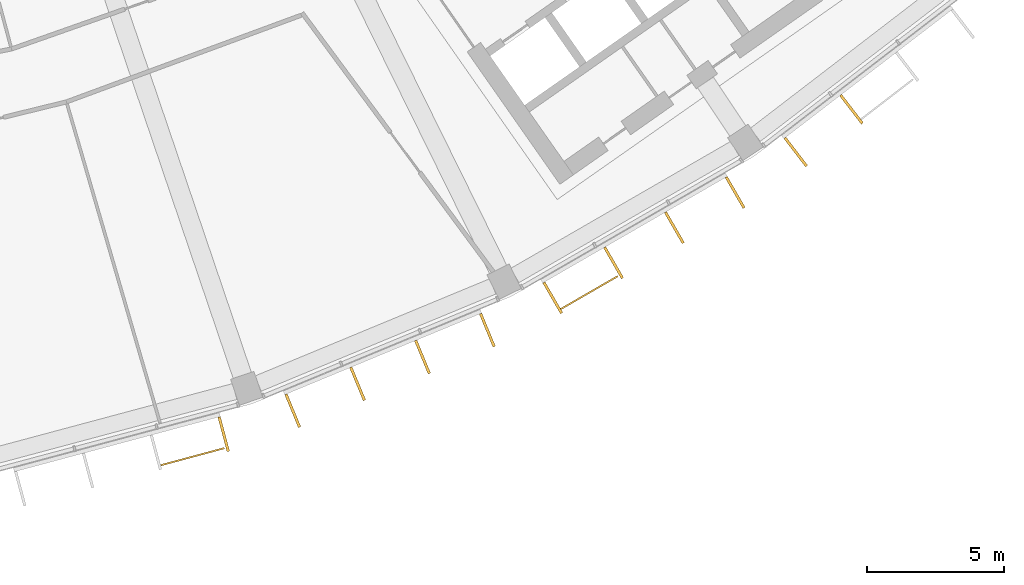
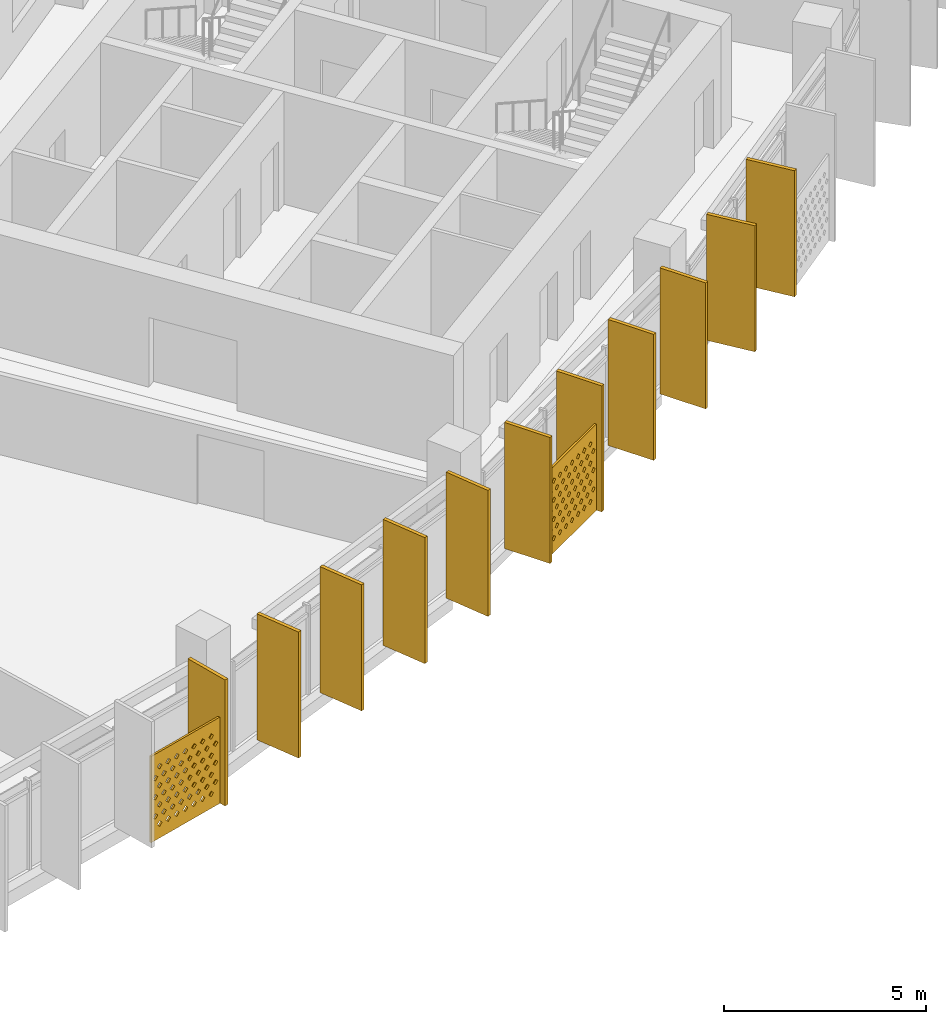
# One storey, part 25 of 27: 13 shading devices.
"""IFC4 building model written with IfcOpenShell, lengths in metres."""

from ifc_helpers import new_model, si_unit, direction, frame, origin, origin_2d, place, context, subcontext, project, spatial, polyline, rectangle, outline, extrude, material, material_profile, profile_set, type_object, element, save


model = new_model("IFC4")

# Units and contexts
model_context = context("Model", 3, precision=1e-05, world=origin(), true_north=direction((0.0, 1.0)))
body_context = subcontext(model_context, "Body", "Model", "MODEL_VIEW")
ifc_project = project(units=[si_unit("LENGTHUNIT", "METRE"), si_unit("AREAUNIT", "SQUARE_METRE"), si_unit("VOLUMEUNIT", "CUBIC_METRE"), si_unit("PLANEANGLEUNIT", "RADIAN"), si_unit("MASSUNIT", "GRAM", prefix="KILO")], contexts=[model_context])

# Site, building, storey
site_placement = place(None, origin())
site = spatial("IfcSite", under=ifc_project, at=site_placement, CompositionType="ELEMENT")
building_placement = place(site_placement, origin())
building = spatial("IfcBuilding", under=site, at=building_placement, Name="Qamariyya Broadcast Tower", CompositionType="ELEMENT")
storey_placement = place(building_placement, frame((0.0, 0.0, 280.89990234375)))
storey = spatial("IfcBuildingStorey", under=building, at=storey_placement, Name="L68", CompositionType="ELEMENT", Elevation=280.89990234375)

# Shading devices
ifc_material_1 = material(Name="Perforated glazed terracotta", Category="masonry")
ifc_material_profile_1 = material_profile(ifc_material_1, outline(polyline([(-1.199951171875, -1.300048828125), (1.199951171875, -1.300048828125), (1.199951171875, 1.300048828125), (-1.199951171875, 1.300048828125), (-1.199951171875, -1.300048828125)]), holes=[polyline([(-0.81494140625, -0.86669921875), (-0.89990234375, -0.78173828125), (-0.985107421875, -0.86669921875), (-0.89990234375, -0.95166015625), (-0.81494140625, -0.86669921875)]), polyline([(-0.514892578125, -0.86669921875), (-0.60009765625, -0.78173828125), (-0.68505859375, -0.86669921875), (-0.60009765625, -0.95166015625), (-0.514892578125, -0.86669921875)]), polyline([(-0.215087890625, -0.86669921875), (-0.300048828125, -0.78173828125), (-0.385009765625, -0.86669921875), (-0.300048828125, -0.95166015625), (-0.215087890625, -0.86669921875)]), polyline([(0.0849609375, -0.86669921875), (0.0, -0.78173828125), (-0.0849609375, -0.86669921875), (0.0, -0.95166015625), (0.0849609375, -0.86669921875)]), polyline([(0.385009765625, -0.86669921875), (0.300048828125, -0.78173828125), (0.215087890625, -0.86669921875), (0.300048828125, -0.95166015625), (0.385009765625, -0.86669921875)]), polyline([(0.68505859375, -0.86669921875), (0.60009765625, -0.78173828125), (0.514892578125, -0.86669921875), (0.60009765625, -0.95166015625), (0.68505859375, -0.86669921875)]), polyline([(0.985107421875, -0.86669921875), (0.89990234375, -0.78173828125), (0.81494140625, -0.86669921875), (0.89990234375, -0.95166015625), (0.985107421875, -0.86669921875)]), polyline([(-0.965087890625, -0.577880859375), (-1.050048828125, -0.49267578125), (-1.135009765625, -0.577880859375), (-1.050048828125, -0.662841796875), (-0.965087890625, -0.577880859375)]), polyline([(-0.6650390625, -0.577880859375), (-0.75, -0.49267578125), (-0.8349609375, -0.577880859375), (-0.75, -0.662841796875), (-0.6650390625, -0.577880859375)]), polyline([(-0.364990234375, -0.577880859375), (-0.449951171875, -0.49267578125), (-0.534912109375, -0.577880859375), (-0.449951171875, -0.662841796875), (-0.364990234375, -0.577880859375)]), polyline([(-0.06494140625, -0.577880859375), (-0.14990234375, -0.49267578125), (-0.235107421875, -0.577880859375), (-0.14990234375, -0.662841796875), (-0.06494140625, -0.577880859375)]), polyline([(0.235107421875, -0.577880859375), (0.14990234375, -0.49267578125), (0.06494140625, -0.577880859375), (0.14990234375, -0.662841796875), (0.235107421875, -0.577880859375)]), polyline([(0.534912109375, -0.577880859375), (0.449951171875, -0.49267578125), (0.364990234375, -0.577880859375), (0.449951171875, -0.662841796875), (0.534912109375, -0.577880859375)]), polyline([(0.8349609375, -0.577880859375), (0.75, -0.49267578125), (0.6650390625, -0.577880859375), (0.75, -0.662841796875), (0.8349609375, -0.577880859375)]), polyline([(1.135009765625, -0.577880859375), (1.050048828125, -0.49267578125), (0.965087890625, -0.577880859375), (1.050048828125, -0.662841796875), (1.135009765625, -0.577880859375)]), polyline([(-0.81494140625, -0.288818359375), (-0.89990234375, -0.203857421875), (-0.985107421875, -0.288818359375), (-0.89990234375, -0.373779296875), (-0.81494140625, -0.288818359375)]), polyline([(-0.514892578125, -0.288818359375), (-0.60009765625, -0.203857421875), (-0.68505859375, -0.288818359375), (-0.60009765625, -0.373779296875), (-0.514892578125, -0.288818359375)]), polyline([(-0.215087890625, -0.288818359375), (-0.300048828125, -0.203857421875), (-0.385009765625, -0.288818359375), (-0.300048828125, -0.373779296875), (-0.215087890625, -0.288818359375)]), polyline([(0.0849609375, -0.288818359375), (0.0, -0.203857421875), (-0.0849609375, -0.288818359375), (0.0, -0.373779296875), (0.0849609375, -0.288818359375)]), polyline([(0.385009765625, -0.288818359375), (0.300048828125, -0.203857421875), (0.215087890625, -0.288818359375), (0.300048828125, -0.373779296875), (0.385009765625, -0.288818359375)]), polyline([(0.68505859375, -0.288818359375), (0.60009765625, -0.203857421875), (0.514892578125, -0.288818359375), (0.60009765625, -0.373779296875), (0.68505859375, -0.288818359375)]), polyline([(0.985107421875, -0.288818359375), (0.89990234375, -0.203857421875), (0.81494140625, -0.288818359375), (0.89990234375, -0.373779296875), (0.985107421875, -0.288818359375)]), polyline([(-0.965087890625, 0.0), (-1.050048828125, 0.0849609375), (-1.135009765625, 0.0), (-1.050048828125, -0.0849609375), (-0.965087890625, 0.0)]), polyline([(-0.6650390625, 0.0), (-0.75, 0.0849609375), (-0.8349609375, 0.0), (-0.75, -0.0849609375), (-0.6650390625, 0.0)]), polyline([(-0.364990234375, 0.0), (-0.449951171875, 0.0849609375), (-0.534912109375, 0.0), (-0.449951171875, -0.0849609375), (-0.364990234375, 0.0)]), polyline([(-0.06494140625, 0.0), (-0.14990234375, 0.0849609375), (-0.235107421875, 0.0), (-0.14990234375, -0.0849609375), (-0.06494140625, 0.0)]), polyline([(0.235107421875, 0.0), (0.14990234375, 0.0849609375), (0.06494140625, 0.0), (0.14990234375, -0.0849609375), (0.235107421875, 0.0)]), polyline([(0.534912109375, 0.0), (0.449951171875, 0.0849609375), (0.364990234375, 0.0), (0.449951171875, -0.0849609375), (0.534912109375, 0.0)]), polyline([(0.8349609375, 0.0), (0.75, 0.0849609375), (0.6650390625, 0.0), (0.75, -0.0849609375), (0.8349609375, 0.0)]), polyline([(1.135009765625, 0.0), (1.050048828125, 0.0849609375), (0.965087890625, 0.0), (1.050048828125, -0.0849609375), (1.135009765625, 0.0)]), polyline([(-0.81494140625, 0.288818359375), (-0.89990234375, 0.373779296875), (-0.985107421875, 0.288818359375), (-0.89990234375, 0.203857421875), (-0.81494140625, 0.288818359375)]), polyline([(-0.514892578125, 0.288818359375), (-0.60009765625, 0.373779296875), (-0.68505859375, 0.288818359375), (-0.60009765625, 0.203857421875), (-0.514892578125, 0.288818359375)]), polyline([(-0.215087890625, 0.288818359375), (-0.300048828125, 0.373779296875), (-0.385009765625, 0.288818359375), (-0.300048828125, 0.203857421875), (-0.215087890625, 0.288818359375)]), polyline([(0.0849609375, 0.288818359375), (0.0, 0.373779296875), (-0.0849609375, 0.288818359375), (0.0, 0.203857421875), (0.0849609375, 0.288818359375)]), polyline([(0.385009765625, 0.288818359375), (0.300048828125, 0.373779296875), (0.215087890625, 0.288818359375), (0.300048828125, 0.203857421875), (0.385009765625, 0.288818359375)]), polyline([(0.68505859375, 0.288818359375), (0.60009765625, 0.373779296875), (0.514892578125, 0.288818359375), (0.60009765625, 0.203857421875), (0.68505859375, 0.288818359375)]), polyline([(0.985107421875, 0.288818359375), (0.89990234375, 0.373779296875), (0.81494140625, 0.288818359375), (0.89990234375, 0.203857421875), (0.985107421875, 0.288818359375)]), polyline([(-0.965087890625, 0.577880859375), (-1.050048828125, 0.662841796875), (-1.135009765625, 0.577880859375), (-1.050048828125, 0.49267578125), (-0.965087890625, 0.577880859375)]), polyline([(-0.6650390625, 0.577880859375), (-0.75, 0.662841796875), (-0.8349609375, 0.577880859375), (-0.75, 0.49267578125), (-0.6650390625, 0.577880859375)]), polyline([(-0.364990234375, 0.577880859375), (-0.449951171875, 0.662841796875), (-0.534912109375, 0.577880859375), (-0.449951171875, 0.49267578125), (-0.364990234375, 0.577880859375)]), polyline([(-0.06494140625, 0.577880859375), (-0.14990234375, 0.662841796875), (-0.235107421875, 0.577880859375), (-0.14990234375, 0.49267578125), (-0.06494140625, 0.577880859375)]), polyline([(0.235107421875, 0.577880859375), (0.14990234375, 0.662841796875), (0.06494140625, 0.577880859375), (0.14990234375, 0.49267578125), (0.235107421875, 0.577880859375)]), polyline([(0.534912109375, 0.577880859375), (0.449951171875, 0.662841796875), (0.364990234375, 0.577880859375), (0.449951171875, 0.49267578125), (0.534912109375, 0.577880859375)]), polyline([(0.8349609375, 0.577880859375), (0.75, 0.662841796875), (0.6650390625, 0.577880859375), (0.75, 0.49267578125), (0.8349609375, 0.577880859375)]), polyline([(1.135009765625, 0.577880859375), (1.050048828125, 0.662841796875), (0.965087890625, 0.577880859375), (1.050048828125, 0.49267578125), (1.135009765625, 0.577880859375)]), polyline([(-0.81494140625, 0.86669921875), (-0.89990234375, 0.95166015625), (-0.985107421875, 0.86669921875), (-0.89990234375, 0.78173828125), (-0.81494140625, 0.86669921875)]), polyline([(-0.514892578125, 0.86669921875), (-0.60009765625, 0.95166015625), (-0.68505859375, 0.86669921875), (-0.60009765625, 0.78173828125), (-0.514892578125, 0.86669921875)]), polyline([(-0.215087890625, 0.86669921875), (-0.300048828125, 0.95166015625), (-0.385009765625, 0.86669921875), (-0.300048828125, 0.78173828125), (-0.215087890625, 0.86669921875)]), polyline([(0.0849609375, 0.86669921875), (0.0, 0.95166015625), (-0.0849609375, 0.86669921875), (0.0, 0.78173828125), (0.0849609375, 0.86669921875)]), polyline([(0.385009765625, 0.86669921875), (0.300048828125, 0.95166015625), (0.215087890625, 0.86669921875), (0.300048828125, 0.78173828125), (0.385009765625, 0.86669921875)]), polyline([(0.68505859375, 0.86669921875), (0.60009765625, 0.95166015625), (0.514892578125, 0.86669921875), (0.60009765625, 0.78173828125), (0.68505859375, 0.86669921875)]), polyline([(0.985107421875, 0.86669921875), (0.89990234375, 0.95166015625), (0.81494140625, 0.86669921875), (0.89990234375, 0.78173828125), (0.985107421875, 0.86669921875)])]))
ifc_profile_set_1 = profile_set([ifc_material_profile_1], Name="Perforated glazed terracotta")
shading_device_type_1 = type_object("IfcShadingDeviceType", Name="Perforated terracotta screen 2400 x 2600", PredefinedType="USERDEFINED", material=ifc_profile_set_1)
shading_device_1_placement = place(storey_placement, frame((23.008544921875, -76.08984375, 1.35009765625), z_axis=(0.259682438219, -0.965694067125, 0.0), x_axis=(0.965694067125, 0.259682438219, 0.0)))
element("IfcShadingDevice", 1, at=shading_device_1_placement, inside=storey, type_object=shading_device_type_1, Name="e-scr-L68-09-2", ObjectType="SCREEN", PredefinedType="USERDEFINED", context=body_context, shape_type="SweptSolid", body=[
    extrude(outline(polyline([(-1.199951171875, -1.300048828125), (1.199951171875, -1.300048828125), (1.199951171875, 1.300048828125), (-1.199951171875, 1.300048828125), (-1.199951171875, -1.300048828125)]), holes=[polyline([(-0.81494140625, -0.86669921875), (-0.89990234375, -0.78173828125), (-0.985107421875, -0.86669921875), (-0.89990234375, -0.95166015625), (-0.81494140625, -0.86669921875)]), polyline([(-0.514892578125, -0.86669921875), (-0.60009765625, -0.78173828125), (-0.68505859375, -0.86669921875), (-0.60009765625, -0.95166015625), (-0.514892578125, -0.86669921875)]), polyline([(-0.215087890625, -0.86669921875), (-0.300048828125, -0.78173828125), (-0.385009765625, -0.86669921875), (-0.300048828125, -0.95166015625), (-0.215087890625, -0.86669921875)]), polyline([(0.0849609375, -0.86669921875), (0.0, -0.78173828125), (-0.0849609375, -0.86669921875), (0.0, -0.95166015625), (0.0849609375, -0.86669921875)]), polyline([(0.385009765625, -0.86669921875), (0.300048828125, -0.78173828125), (0.215087890625, -0.86669921875), (0.300048828125, -0.95166015625), (0.385009765625, -0.86669921875)]), polyline([(0.68505859375, -0.86669921875), (0.60009765625, -0.78173828125), (0.514892578125, -0.86669921875), (0.60009765625, -0.95166015625), (0.68505859375, -0.86669921875)]), polyline([(0.985107421875, -0.86669921875), (0.89990234375, -0.78173828125), (0.81494140625, -0.86669921875), (0.89990234375, -0.95166015625), (0.985107421875, -0.86669921875)]), polyline([(-0.965087890625, -0.577880859375), (-1.050048828125, -0.49267578125), (-1.135009765625, -0.577880859375), (-1.050048828125, -0.662841796875), (-0.965087890625, -0.577880859375)]), polyline([(-0.6650390625, -0.577880859375), (-0.75, -0.49267578125), (-0.8349609375, -0.577880859375), (-0.75, -0.662841796875), (-0.6650390625, -0.577880859375)]), polyline([(-0.364990234375, -0.577880859375), (-0.449951171875, -0.49267578125), (-0.534912109375, -0.577880859375), (-0.449951171875, -0.662841796875), (-0.364990234375, -0.577880859375)]), polyline([(-0.06494140625, -0.577880859375), (-0.14990234375, -0.49267578125), (-0.235107421875, -0.577880859375), (-0.14990234375, -0.662841796875), (-0.06494140625, -0.577880859375)]), polyline([(0.235107421875, -0.577880859375), (0.14990234375, -0.49267578125), (0.06494140625, -0.577880859375), (0.14990234375, -0.662841796875), (0.235107421875, -0.577880859375)]), polyline([(0.534912109375, -0.577880859375), (0.449951171875, -0.49267578125), (0.364990234375, -0.577880859375), (0.449951171875, -0.662841796875), (0.534912109375, -0.577880859375)]), polyline([(0.8349609375, -0.577880859375), (0.75, -0.49267578125), (0.6650390625, -0.577880859375), (0.75, -0.662841796875), (0.8349609375, -0.577880859375)]), polyline([(1.135009765625, -0.577880859375), (1.050048828125, -0.49267578125), (0.965087890625, -0.577880859375), (1.050048828125, -0.662841796875), (1.135009765625, -0.577880859375)]), polyline([(-0.81494140625, -0.288818359375), (-0.89990234375, -0.203857421875), (-0.985107421875, -0.288818359375), (-0.89990234375, -0.373779296875), (-0.81494140625, -0.288818359375)]), polyline([(-0.514892578125, -0.288818359375), (-0.60009765625, -0.203857421875), (-0.68505859375, -0.288818359375), (-0.60009765625, -0.373779296875), (-0.514892578125, -0.288818359375)]), polyline([(-0.215087890625, -0.288818359375), (-0.300048828125, -0.203857421875), (-0.385009765625, -0.288818359375), (-0.300048828125, -0.373779296875), (-0.215087890625, -0.288818359375)]), polyline([(0.0849609375, -0.288818359375), (0.0, -0.203857421875), (-0.0849609375, -0.288818359375), (0.0, -0.373779296875), (0.0849609375, -0.288818359375)]), polyline([(0.385009765625, -0.288818359375), (0.300048828125, -0.203857421875), (0.215087890625, -0.288818359375), (0.300048828125, -0.373779296875), (0.385009765625, -0.288818359375)]), polyline([(0.68505859375, -0.288818359375), (0.60009765625, -0.203857421875), (0.514892578125, -0.288818359375), (0.60009765625, -0.373779296875), (0.68505859375, -0.288818359375)]), polyline([(0.985107421875, -0.288818359375), (0.89990234375, -0.203857421875), (0.81494140625, -0.288818359375), (0.89990234375, -0.373779296875), (0.985107421875, -0.288818359375)]), polyline([(-0.965087890625, 0.0), (-1.050048828125, 0.0849609375), (-1.135009765625, 0.0), (-1.050048828125, -0.0849609375), (-0.965087890625, 0.0)]), polyline([(-0.6650390625, 0.0), (-0.75, 0.0849609375), (-0.8349609375, 0.0), (-0.75, -0.0849609375), (-0.6650390625, 0.0)]), polyline([(-0.364990234375, 0.0), (-0.449951171875, 0.0849609375), (-0.534912109375, 0.0), (-0.449951171875, -0.0849609375), (-0.364990234375, 0.0)]), polyline([(-0.06494140625, 0.0), (-0.14990234375, 0.0849609375), (-0.235107421875, 0.0), (-0.14990234375, -0.0849609375), (-0.06494140625, 0.0)]), polyline([(0.235107421875, 0.0), (0.14990234375, 0.0849609375), (0.06494140625, 0.0), (0.14990234375, -0.0849609375), (0.235107421875, 0.0)]), polyline([(0.534912109375, 0.0), (0.449951171875, 0.0849609375), (0.364990234375, 0.0), (0.449951171875, -0.0849609375), (0.534912109375, 0.0)]), polyline([(0.8349609375, 0.0), (0.75, 0.0849609375), (0.6650390625, 0.0), (0.75, -0.0849609375), (0.8349609375, 0.0)]), polyline([(1.135009765625, 0.0), (1.050048828125, 0.0849609375), (0.965087890625, 0.0), (1.050048828125, -0.0849609375), (1.135009765625, 0.0)]), polyline([(-0.81494140625, 0.288818359375), (-0.89990234375, 0.373779296875), (-0.985107421875, 0.288818359375), (-0.89990234375, 0.203857421875), (-0.81494140625, 0.288818359375)]), polyline([(-0.514892578125, 0.288818359375), (-0.60009765625, 0.373779296875), (-0.68505859375, 0.288818359375), (-0.60009765625, 0.203857421875), (-0.514892578125, 0.288818359375)]), polyline([(-0.215087890625, 0.288818359375), (-0.300048828125, 0.373779296875), (-0.385009765625, 0.288818359375), (-0.300048828125, 0.203857421875), (-0.215087890625, 0.288818359375)]), polyline([(0.0849609375, 0.288818359375), (0.0, 0.373779296875), (-0.0849609375, 0.288818359375), (0.0, 0.203857421875), (0.0849609375, 0.288818359375)]), polyline([(0.385009765625, 0.288818359375), (0.300048828125, 0.373779296875), (0.215087890625, 0.288818359375), (0.300048828125, 0.203857421875), (0.385009765625, 0.288818359375)]), polyline([(0.68505859375, 0.288818359375), (0.60009765625, 0.373779296875), (0.514892578125, 0.288818359375), (0.60009765625, 0.203857421875), (0.68505859375, 0.288818359375)]), polyline([(0.985107421875, 0.288818359375), (0.89990234375, 0.373779296875), (0.81494140625, 0.288818359375), (0.89990234375, 0.203857421875), (0.985107421875, 0.288818359375)]), polyline([(-0.965087890625, 0.577880859375), (-1.050048828125, 0.662841796875), (-1.135009765625, 0.577880859375), (-1.050048828125, 0.49267578125), (-0.965087890625, 0.577880859375)]), polyline([(-0.6650390625, 0.577880859375), (-0.75, 0.662841796875), (-0.8349609375, 0.577880859375), (-0.75, 0.49267578125), (-0.6650390625, 0.577880859375)]), polyline([(-0.364990234375, 0.577880859375), (-0.449951171875, 0.662841796875), (-0.534912109375, 0.577880859375), (-0.449951171875, 0.49267578125), (-0.364990234375, 0.577880859375)]), polyline([(-0.06494140625, 0.577880859375), (-0.14990234375, 0.662841796875), (-0.235107421875, 0.577880859375), (-0.14990234375, 0.49267578125), (-0.06494140625, 0.577880859375)]), polyline([(0.235107421875, 0.577880859375), (0.14990234375, 0.662841796875), (0.06494140625, 0.577880859375), (0.14990234375, 0.49267578125), (0.235107421875, 0.577880859375)]), polyline([(0.534912109375, 0.577880859375), (0.449951171875, 0.662841796875), (0.364990234375, 0.577880859375), (0.449951171875, 0.49267578125), (0.534912109375, 0.577880859375)]), polyline([(0.8349609375, 0.577880859375), (0.75, 0.662841796875), (0.6650390625, 0.577880859375), (0.75, 0.49267578125), (0.8349609375, 0.577880859375)]), polyline([(1.135009765625, 0.577880859375), (1.050048828125, 0.662841796875), (0.965087890625, 0.577880859375), (1.050048828125, 0.49267578125), (1.135009765625, 0.577880859375)]), polyline([(-0.81494140625, 0.86669921875), (-0.89990234375, 0.95166015625), (-0.985107421875, 0.86669921875), (-0.89990234375, 0.78173828125), (-0.81494140625, 0.86669921875)]), polyline([(-0.514892578125, 0.86669921875), (-0.60009765625, 0.95166015625), (-0.68505859375, 0.86669921875), (-0.60009765625, 0.78173828125), (-0.514892578125, 0.86669921875)]), polyline([(-0.215087890625, 0.86669921875), (-0.300048828125, 0.95166015625), (-0.385009765625, 0.86669921875), (-0.300048828125, 0.78173828125), (-0.215087890625, 0.86669921875)]), polyline([(0.0849609375, 0.86669921875), (0.0, 0.95166015625), (-0.0849609375, 0.86669921875), (0.0, 0.78173828125), (0.0849609375, 0.86669921875)]), polyline([(0.385009765625, 0.86669921875), (0.300048828125, 0.95166015625), (0.215087890625, 0.86669921875), (0.300048828125, 0.78173828125), (0.385009765625, 0.86669921875)]), polyline([(0.68505859375, 0.86669921875), (0.60009765625, 0.95166015625), (0.514892578125, 0.86669921875), (0.60009765625, 0.78173828125), (0.68505859375, 0.86669921875)]), polyline([(0.985107421875, 0.86669921875), (0.89990234375, 0.95166015625), (0.81494140625, 0.86669921875), (0.89990234375, 0.78173828125), (0.985107421875, 0.86669921875)])]), origin(), (0.0, 0.0, 1.0), 0.06005859375),
])
shading_device_2_placement = place(storey_placement, frame((37.480224609375, -70.104248046875, 1.35009765625), z_axis=(0.500074377092, -0.865982457891, 0.0), x_axis=(0.865982457891, 0.500074377092, 0.0)))
element("IfcShadingDevice", 2, at=shading_device_2_placement, inside=storey, type_object=shading_device_type_1, Name="e-scr-L68-11-0", ObjectType="SCREEN", PredefinedType="USERDEFINED", context=body_context, shape_type="SweptSolid", body=[
    extrude(outline(polyline([(-1.199951171875, -1.300048828125), (1.199951171875, -1.300048828125), (1.199951171875, 1.300048828125), (-1.199951171875, 1.300048828125), (-1.199951171875, -1.300048828125)]), holes=[polyline([(-0.81494140625, -0.86669921875), (-0.89990234375, -0.78173828125), (-0.985107421875, -0.86669921875), (-0.89990234375, -0.95166015625), (-0.81494140625, -0.86669921875)]), polyline([(-0.514892578125, -0.86669921875), (-0.60009765625, -0.78173828125), (-0.68505859375, -0.86669921875), (-0.60009765625, -0.95166015625), (-0.514892578125, -0.86669921875)]), polyline([(-0.215087890625, -0.86669921875), (-0.300048828125, -0.78173828125), (-0.385009765625, -0.86669921875), (-0.300048828125, -0.95166015625), (-0.215087890625, -0.86669921875)]), polyline([(0.0849609375, -0.86669921875), (0.0, -0.78173828125), (-0.0849609375, -0.86669921875), (0.0, -0.95166015625), (0.0849609375, -0.86669921875)]), polyline([(0.385009765625, -0.86669921875), (0.300048828125, -0.78173828125), (0.215087890625, -0.86669921875), (0.300048828125, -0.95166015625), (0.385009765625, -0.86669921875)]), polyline([(0.68505859375, -0.86669921875), (0.60009765625, -0.78173828125), (0.514892578125, -0.86669921875), (0.60009765625, -0.95166015625), (0.68505859375, -0.86669921875)]), polyline([(0.985107421875, -0.86669921875), (0.89990234375, -0.78173828125), (0.81494140625, -0.86669921875), (0.89990234375, -0.95166015625), (0.985107421875, -0.86669921875)]), polyline([(-0.965087890625, -0.577880859375), (-1.050048828125, -0.49267578125), (-1.135009765625, -0.577880859375), (-1.050048828125, -0.662841796875), (-0.965087890625, -0.577880859375)]), polyline([(-0.6650390625, -0.577880859375), (-0.75, -0.49267578125), (-0.8349609375, -0.577880859375), (-0.75, -0.662841796875), (-0.6650390625, -0.577880859375)]), polyline([(-0.364990234375, -0.577880859375), (-0.449951171875, -0.49267578125), (-0.534912109375, -0.577880859375), (-0.449951171875, -0.662841796875), (-0.364990234375, -0.577880859375)]), polyline([(-0.06494140625, -0.577880859375), (-0.14990234375, -0.49267578125), (-0.235107421875, -0.577880859375), (-0.14990234375, -0.662841796875), (-0.06494140625, -0.577880859375)]), polyline([(0.235107421875, -0.577880859375), (0.14990234375, -0.49267578125), (0.06494140625, -0.577880859375), (0.14990234375, -0.662841796875), (0.235107421875, -0.577880859375)]), polyline([(0.534912109375, -0.577880859375), (0.449951171875, -0.49267578125), (0.364990234375, -0.577880859375), (0.449951171875, -0.662841796875), (0.534912109375, -0.577880859375)]), polyline([(0.8349609375, -0.577880859375), (0.75, -0.49267578125), (0.6650390625, -0.577880859375), (0.75, -0.662841796875), (0.8349609375, -0.577880859375)]), polyline([(1.135009765625, -0.577880859375), (1.050048828125, -0.49267578125), (0.965087890625, -0.577880859375), (1.050048828125, -0.662841796875), (1.135009765625, -0.577880859375)]), polyline([(-0.81494140625, -0.288818359375), (-0.89990234375, -0.203857421875), (-0.985107421875, -0.288818359375), (-0.89990234375, -0.373779296875), (-0.81494140625, -0.288818359375)]), polyline([(-0.514892578125, -0.288818359375), (-0.60009765625, -0.203857421875), (-0.68505859375, -0.288818359375), (-0.60009765625, -0.373779296875), (-0.514892578125, -0.288818359375)]), polyline([(-0.215087890625, -0.288818359375), (-0.300048828125, -0.203857421875), (-0.385009765625, -0.288818359375), (-0.300048828125, -0.373779296875), (-0.215087890625, -0.288818359375)]), polyline([(0.0849609375, -0.288818359375), (0.0, -0.203857421875), (-0.0849609375, -0.288818359375), (0.0, -0.373779296875), (0.0849609375, -0.288818359375)]), polyline([(0.385009765625, -0.288818359375), (0.300048828125, -0.203857421875), (0.215087890625, -0.288818359375), (0.300048828125, -0.373779296875), (0.385009765625, -0.288818359375)]), polyline([(0.68505859375, -0.288818359375), (0.60009765625, -0.203857421875), (0.514892578125, -0.288818359375), (0.60009765625, -0.373779296875), (0.68505859375, -0.288818359375)]), polyline([(0.985107421875, -0.288818359375), (0.89990234375, -0.203857421875), (0.81494140625, -0.288818359375), (0.89990234375, -0.373779296875), (0.985107421875, -0.288818359375)]), polyline([(-0.965087890625, 0.0), (-1.050048828125, 0.0849609375), (-1.135009765625, 0.0), (-1.050048828125, -0.0849609375), (-0.965087890625, 0.0)]), polyline([(-0.6650390625, 0.0), (-0.75, 0.0849609375), (-0.8349609375, 0.0), (-0.75, -0.0849609375), (-0.6650390625, 0.0)]), polyline([(-0.364990234375, 0.0), (-0.449951171875, 0.0849609375), (-0.534912109375, 0.0), (-0.449951171875, -0.0849609375), (-0.364990234375, 0.0)]), polyline([(-0.06494140625, 0.0), (-0.14990234375, 0.0849609375), (-0.235107421875, 0.0), (-0.14990234375, -0.0849609375), (-0.06494140625, 0.0)]), polyline([(0.235107421875, 0.0), (0.14990234375, 0.0849609375), (0.06494140625, 0.0), (0.14990234375, -0.0849609375), (0.235107421875, 0.0)]), polyline([(0.534912109375, 0.0), (0.449951171875, 0.0849609375), (0.364990234375, 0.0), (0.449951171875, -0.0849609375), (0.534912109375, 0.0)]), polyline([(0.8349609375, 0.0), (0.75, 0.0849609375), (0.6650390625, 0.0), (0.75, -0.0849609375), (0.8349609375, 0.0)]), polyline([(1.135009765625, 0.0), (1.050048828125, 0.0849609375), (0.965087890625, 0.0), (1.050048828125, -0.0849609375), (1.135009765625, 0.0)]), polyline([(-0.81494140625, 0.288818359375), (-0.89990234375, 0.373779296875), (-0.985107421875, 0.288818359375), (-0.89990234375, 0.203857421875), (-0.81494140625, 0.288818359375)]), polyline([(-0.514892578125, 0.288818359375), (-0.60009765625, 0.373779296875), (-0.68505859375, 0.288818359375), (-0.60009765625, 0.203857421875), (-0.514892578125, 0.288818359375)]), polyline([(-0.215087890625, 0.288818359375), (-0.300048828125, 0.373779296875), (-0.385009765625, 0.288818359375), (-0.300048828125, 0.203857421875), (-0.215087890625, 0.288818359375)]), polyline([(0.0849609375, 0.288818359375), (0.0, 0.373779296875), (-0.0849609375, 0.288818359375), (0.0, 0.203857421875), (0.0849609375, 0.288818359375)]), polyline([(0.385009765625, 0.288818359375), (0.300048828125, 0.373779296875), (0.215087890625, 0.288818359375), (0.300048828125, 0.203857421875), (0.385009765625, 0.288818359375)]), polyline([(0.68505859375, 0.288818359375), (0.60009765625, 0.373779296875), (0.514892578125, 0.288818359375), (0.60009765625, 0.203857421875), (0.68505859375, 0.288818359375)]), polyline([(0.985107421875, 0.288818359375), (0.89990234375, 0.373779296875), (0.81494140625, 0.288818359375), (0.89990234375, 0.203857421875), (0.985107421875, 0.288818359375)]), polyline([(-0.965087890625, 0.577880859375), (-1.050048828125, 0.662841796875), (-1.135009765625, 0.577880859375), (-1.050048828125, 0.49267578125), (-0.965087890625, 0.577880859375)]), polyline([(-0.6650390625, 0.577880859375), (-0.75, 0.662841796875), (-0.8349609375, 0.577880859375), (-0.75, 0.49267578125), (-0.6650390625, 0.577880859375)]), polyline([(-0.364990234375, 0.577880859375), (-0.449951171875, 0.662841796875), (-0.534912109375, 0.577880859375), (-0.449951171875, 0.49267578125), (-0.364990234375, 0.577880859375)]), polyline([(-0.06494140625, 0.577880859375), (-0.14990234375, 0.662841796875), (-0.235107421875, 0.577880859375), (-0.14990234375, 0.49267578125), (-0.06494140625, 0.577880859375)]), polyline([(0.235107421875, 0.577880859375), (0.14990234375, 0.662841796875), (0.06494140625, 0.577880859375), (0.14990234375, 0.49267578125), (0.235107421875, 0.577880859375)]), polyline([(0.534912109375, 0.577880859375), (0.449951171875, 0.662841796875), (0.364990234375, 0.577880859375), (0.449951171875, 0.49267578125), (0.534912109375, 0.577880859375)]), polyline([(0.8349609375, 0.577880859375), (0.75, 0.662841796875), (0.6650390625, 0.577880859375), (0.75, 0.49267578125), (0.8349609375, 0.577880859375)]), polyline([(1.135009765625, 0.577880859375), (1.050048828125, 0.662841796875), (0.965087890625, 0.577880859375), (1.050048828125, 0.49267578125), (1.135009765625, 0.577880859375)]), polyline([(-0.81494140625, 0.86669921875), (-0.89990234375, 0.95166015625), (-0.985107421875, 0.86669921875), (-0.89990234375, 0.78173828125), (-0.81494140625, 0.86669921875)]), polyline([(-0.514892578125, 0.86669921875), (-0.60009765625, 0.95166015625), (-0.68505859375, 0.86669921875), (-0.60009765625, 0.78173828125), (-0.514892578125, 0.86669921875)]), polyline([(-0.215087890625, 0.86669921875), (-0.300048828125, 0.95166015625), (-0.385009765625, 0.86669921875), (-0.300048828125, 0.78173828125), (-0.215087890625, 0.86669921875)]), polyline([(0.0849609375, 0.86669921875), (0.0, 0.95166015625), (-0.0849609375, 0.86669921875), (0.0, 0.78173828125), (0.0849609375, 0.86669921875)]), polyline([(0.385009765625, 0.86669921875), (0.300048828125, 0.95166015625), (0.215087890625, 0.86669921875), (0.300048828125, 0.78173828125), (0.385009765625, 0.86669921875)]), polyline([(0.68505859375, 0.86669921875), (0.60009765625, 0.95166015625), (0.514892578125, 0.86669921875), (0.60009765625, 0.78173828125), (0.68505859375, 0.86669921875)]), polyline([(0.985107421875, 0.86669921875), (0.89990234375, 0.95166015625), (0.81494140625, 0.86669921875), (0.89990234375, 0.78173828125), (0.985107421875, 0.86669921875)])]), origin(), (0.0, 0.0, 1.0), 0.06005859375),
])
ifc_material_2 = material(Name="Glazed terracotta", Category="masonry")
ifc_material_profile_2 = material_profile(ifc_material_2, rectangle(XDim=1.300048828125, YDim=0.10009765625, at=origin_2d()))
ifc_profile_set_2 = profile_set([ifc_material_profile_2], Name="Glazed terracotta")
shading_device_type_2 = type_object("IfcShadingDeviceType", Name="Terracotta fin 100 x 1300", PredefinedType="USERDEFINED", material=ifc_profile_set_2)
for number, where, z_axis, x_axis, name in (
    (3, (24.154296875, -75.29638671875, 0.0), (0.0, 0.0, 1.0), (0.258819045103, -0.965925826289, 0.0), "e-fin-L68-09-3"),
    (4, (26.674560546875, -74.44091796875, 0.0), (0.0, 0.0, 1.0), (0.382683432365, -0.923879532511, 0.0), "e-fin-L68-10-0"),
    (5, (29.041748046875, -73.46044921875, 0.0), (0.0, 0.0, 1.0), (0.382683432365, -0.923879532511, 0.0), "e-fin-L68-10-1"),
    (6, (31.40869140625, -72.479736328125, 0.0), (0.0, 0.0, 1.0), (0.382683432365, -0.923879532511, 0.0), "e-fin-L68-10-2"),
    (7, (33.77587890625, -71.499267578125, 0.0), (0.0, 0.0, 1.0), (0.382683432365, -0.923879532511, 0.0), "e-fin-L68-10-3"),
    (8, (36.162841796875, -70.322265625, 0.0), (0.0, 0.0, 1.0), (0.5, -0.866025403784, 0.0), "e-fin-L68-11-0"),
    (9, (38.381591796875, -69.041259765625, 0.0), (0.0, 0.0, 1.0), (0.5, -0.866025403784, 0.0), "e-fin-L68-11-1"),
    (10, (40.6005859375, -67.760009765625, 0.0), (0.0, 0.0, 1.0), (0.5, -0.866025403784, 0.0), "e-fin-L68-11-2"),
    (11, (42.819580078125, -66.47900390625, 0.0), (0.0, 0.0, 1.0), (0.5, -0.866025403784, 0.0), "e-fin-L68-11-3"),
    (12, (45.0322265625, -65.00048828125, 0.0), (0.0, 0.0, 1.0), (0.608761429009, -0.793353340291, 0.0), "e-fin-L68-12-0"),
    (13, (47.06494140625, -63.440673828125, 0.0), (0.0, 0.0, 1.0), (0.608761429009, -0.793353340291, 0.0), "e-fin-L68-12-1"),
):
    element("IfcShadingDevice", number, at=place(storey_placement, frame(where, z_axis=z_axis, x_axis=x_axis)), inside=storey, type_object=shading_device_type_2, Name=name, ObjectType="FIN", PredefinedType="USERDEFINED", context=body_context, shape_type="SweptSolid", body=[
        extrude(rectangle(XDim=1.300048828125, YDim=0.10009765625, at=origin_2d()), origin(), (0.0, 0.0, 1.0), 3.800048828125),
    ])

save(model, "model.ifc")
